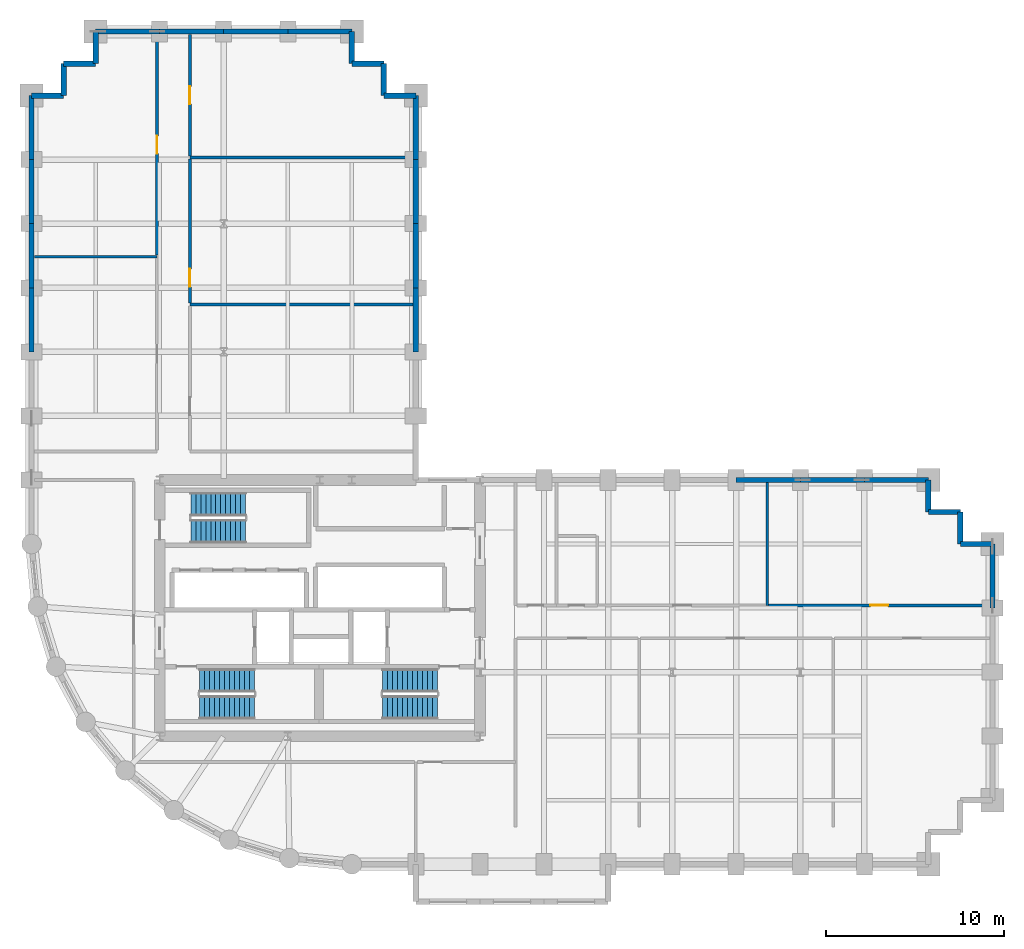
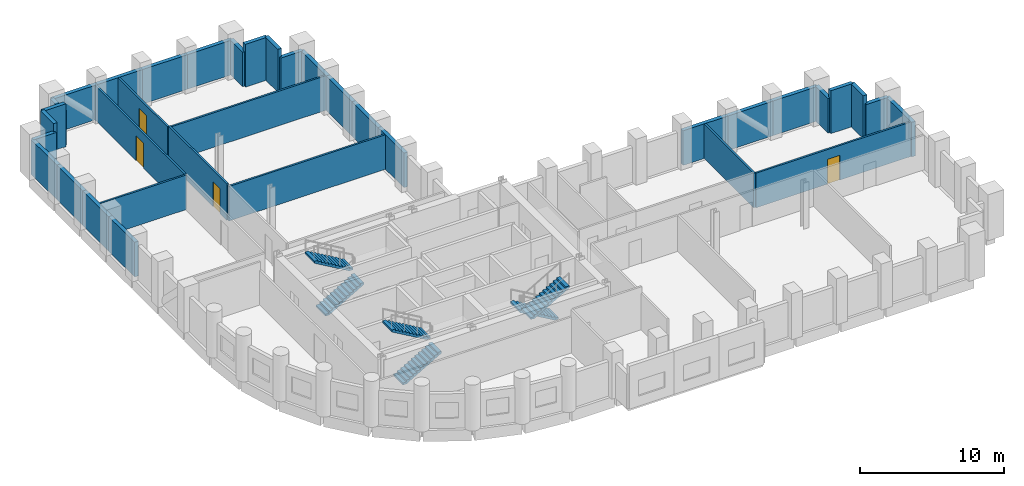
# One storey, part 8 of 9: 36 walls, 6 stair flights, 4 doors, 4 openings, 3 elements without a shape of their own.
"""IFC4 building model written with IfcOpenShell, lengths in metres."""

from ifc_helpers import new_model, si_unit, direction, frame, frame_2d, origin, place, context, subcontext, project, spatial, polyline, rectangle, outline, extrude, material, layer, layer_set, type_object, element, fill, aggregate, save


model = new_model("IFC4")

# Units and contexts
model_context = context("Model", 3, precision=1e-05, world=origin(), true_north=direction((0.0, 1.0)))
body_context = subcontext(model_context, "Body", "Model", "MODEL_VIEW")
ifc_project = project(units=[si_unit("LENGTHUNIT", "METRE"), si_unit("AREAUNIT", "SQUARE_METRE"), si_unit("VOLUMEUNIT", "CUBIC_METRE"), si_unit("PLANEANGLEUNIT", "RADIAN"), si_unit("MASSUNIT", "GRAM", prefix="KILO")], contexts=[model_context])

# Site, building, storey
site_placement = place(None, origin())
site = spatial("IfcSite", under=ifc_project, at=site_placement, CompositionType="ELEMENT")
building_placement = place(site_placement, origin())
building = spatial("IfcBuilding", under=site, at=building_placement, Name="Solnavia Interchange Tower", CompositionType="ELEMENT")
storey_placement = place(building_placement, frame((0.0, 0.0, 66.89990234375)))
storey = spatial("IfcBuildingStorey", under=building, at=storey_placement, Name="L16", CompositionType="ELEMENT", Elevation=66.89990234375)

# Walls
ifc_material_1 = material(Name="Concrete C40/50", Category="concrete")
ifc_layer_1 = layer(ifc_material_1, 0.300048828125)
ifc_layer_set_1 = layer_set([ifc_layer_1], Name="Concrete C40/50")
wall_type_1 = type_object("IfcWallType", Name="Wall-ExtSpandrel-300", PredefinedType="STANDARD", material=ifc_layer_set_1)
wall_1_placement = place(storey_placement, frame((61.199951171875, 21.60009765625, 0.0), z_axis=(0.0, 0.0, 1.0), x_axis=(0.0, -1.0, 0.0)))
element("IfcWall", 1, at=wall_1_placement, inside=storey, type_object=wall_type_1, Name="EXW-L16-19 Exterior precast spandrel wall", PredefinedType="STANDARD", context=body_context, shape_type="SweptSolid", body=[
    extrude(rectangle(XDim=3.60009765625, YDim=0.300048828125, at=frame_2d((1.800048828125, 0.0))), origin(), (0.0, 0.0, 1.0), 2.93017578125),
])
wall_2_placement = place(storey_placement, frame((61.199951171875, 21.60009765625, 0.0), z_axis=(0.0, 0.0, 1.0), x_axis=(-1.0, 0.0, 0.0)))
element("IfcWall", 2, at=wall_2_placement, inside=storey, type_object=wall_type_1, Name="EXW-L16-20 Exterior precast spandrel wall", PredefinedType="STANDARD", context=body_context, shape_type="SweptSolid", body=[
    extrude(rectangle(XDim=1.800048828125, YDim=0.300048828125, at=frame_2d((0.89990234375, 0.0))), origin(), (0.0, 0.0, 1.0), 2.93017578125),
])
for number, where, z_axis, x_axis, name in (
    (3, (59.39990234375, 23.39990234375, 0.0), (0.0, 0.0, 1.0), (0.0, -1.0, 0.0), "EXW-L16-21 Exterior precast spandrel wall"),
    (4, (57.60009765625, 23.39990234375, 0.0), (0.0, 0.0, 1.0), (1.0, 0.0, 0.0), "EXW-L16-22 Exterior precast spandrel wall"),
):
    element("IfcWall", number, at=place(storey_placement, frame(where, z_axis=z_axis, x_axis=x_axis)), inside=storey, type_object=wall_type_1, Name=name, PredefinedType="STANDARD", context=body_context, shape_type="SweptSolid", body=[
        extrude(rectangle(XDim=1.7998046875, YDim=0.300048828125, at=frame_2d((0.89990234375, 0.0))), origin(), (0.0, 0.0, 1.0), 3.635009765625),
    ])
wall_3_placement = place(storey_placement, frame((57.60009765625, 25.199951171875, 0.0), z_axis=(0.0, 0.0, 1.0), x_axis=(0.0, -1.0, 0.0)))
element("IfcWall", 5, at=wall_3_placement, inside=storey, type_object=wall_type_1, Name="EXW-L16-23 Exterior precast spandrel wall", PredefinedType="STANDARD", context=body_context, shape_type="SweptSolid", body=[
    extrude(rectangle(XDim=1.800048828125, YDim=0.300048828125, at=frame_2d((0.89990234375, 0.0))), origin(), (0.0, 0.0, 1.0), 2.93017578125),
])
for number, where, z_axis, x_axis, name in (
    (6, (54.0, 25.199951171875, 0.0), (0.0, 0.0, 1.0), (1.0, 0.0, 0.0), "EXW-L16-24 Exterior precast spandrel wall"),
    (7, (50.39990234375, 25.199951171875, 0.0), (0.0, 0.0, 1.0), (1.0, 0.0, 0.0), "EXW-L16-25 Exterior precast spandrel wall"),
):
    element("IfcWall", number, at=place(storey_placement, frame(where, z_axis=z_axis, x_axis=x_axis)), inside=storey, type_object=wall_type_1, Name=name, PredefinedType="STANDARD", context=body_context, shape_type="SweptSolid", body=[
        extrude(rectangle(XDim=3.60009765625, YDim=0.300048828125, at=frame_2d((1.800048828125, 0.0))), origin(), (0.0, 0.0, 1.0), 2.93017578125),
    ])
wall_4_placement = place(storey_placement, frame((46.800048828125, 25.199951171875, 0.0), z_axis=(0.0, 0.0, 1.0), x_axis=(1.0, 0.0, 0.0)))
element("IfcWall", 8, at=wall_4_placement, inside=storey, type_object=wall_type_1, Name="EXW-L16-26 Exterior precast spandrel wall", PredefinedType="STANDARD", context=body_context, shape_type="SweptSolid", body=[
    extrude(rectangle(XDim=3.599853515625, YDim=0.300048828125, at=frame_2d((1.7998046875, 0.0))), origin(), (0.0, 0.0, 1.0), 2.93017578125),
])
for number, where, z_axis, x_axis, name in (
    (9, (28.800048828125, 32.39990234375, 0.0), (0.0, 0.0, 1.0), (0.0, 1.0, 0.0), "EXW-L16-34 Exterior precast spandrel wall"),
    (10, (28.800048828125, 36.0, 0.0), (0.0, 0.0, 1.0), (0.0, 1.0, 0.0), "EXW-L16-35 Exterior precast spandrel wall"),
):
    element("IfcWall", number, at=place(storey_placement, frame(where, z_axis=z_axis, x_axis=x_axis)), inside=storey, type_object=wall_type_1, Name=name, PredefinedType="STANDARD", context=body_context, shape_type="SweptSolid", body=[
        extrude(rectangle(XDim=3.60009765625, YDim=0.300048828125, at=frame_2d((1.800048828125, 0.0))), origin(), (0.0, 0.0, 1.0), 2.93017578125),
    ])
wall_5_placement = place(storey_placement, frame((28.800048828125, 39.60009765625, 0.0), z_axis=(0.0, 0.0, 1.0), x_axis=(0.0, 1.0, 0.0)))
element("IfcWall", 11, at=wall_5_placement, inside=storey, type_object=wall_type_1, Name="EXW-L16-36 Exterior precast spandrel wall", PredefinedType="STANDARD", context=body_context, shape_type="SweptSolid", body=[
    extrude(rectangle(XDim=3.599853515625, YDim=0.300048828125, at=frame_2d((1.7998046875, 0.0))), origin(), (0.0, 0.0, 1.0), 2.93017578125),
])
wall_6_placement = place(storey_placement, frame((28.800048828125, 43.199951171875, 0.0), z_axis=(0.0, 0.0, 1.0), x_axis=(0.0, 1.0, 0.0)))
element("IfcWall", 12, at=wall_6_placement, inside=storey, type_object=wall_type_1, Name="EXW-L16-37 Exterior precast spandrel wall", PredefinedType="STANDARD", context=body_context, shape_type="SweptSolid", body=[
    extrude(rectangle(XDim=3.60009765625, YDim=0.300048828125, at=frame_2d((1.800048828125, 0.0))), origin(), (0.0, 0.0, 1.0), 2.93017578125),
])
wall_7_placement = place(storey_placement, frame((27.0, 46.800048828125, 0.0), z_axis=(0.0, 0.0, 1.0), x_axis=(1.0, 0.0, 0.0)))
element("IfcWall", 13, at=wall_7_placement, inside=storey, type_object=wall_type_1, Name="EXW-L16-38 Exterior precast spandrel wall", PredefinedType="STANDARD", context=body_context, shape_type="SweptSolid", body=[
    extrude(rectangle(XDim=1.800048828125, YDim=0.300048828125, at=frame_2d((0.89990234375, 0.0))), origin(), (0.0, 0.0, 1.0), 2.93017578125),
])
for number, where, z_axis, x_axis, name in (
    (14, (27.0, 46.800048828125, 0.0), (0.0, 0.0, 1.0), (0.0, 1.0, 0.0), "EXW-L16-39 Exterior precast spandrel wall"),
    (15, (25.199951171875, 48.60009765625, 0.0), (0.0, 0.0, 1.0), (1.0, 0.0, 0.0), "EXW-L16-40 Exterior precast spandrel wall"),
):
    element("IfcWall", number, at=place(storey_placement, frame(where, z_axis=z_axis, x_axis=x_axis)), inside=storey, type_object=wall_type_1, Name=name, PredefinedType="STANDARD", context=body_context, shape_type="SweptSolid", body=[
        extrude(rectangle(XDim=1.800048828125, YDim=0.300048828125, at=frame_2d((0.89990234375, 0.0))), origin(), (0.0, 0.0, 1.0), 3.635009765625),
    ])
wall_8_placement = place(storey_placement, frame((25.199951171875, 48.60009765625, 0.0), z_axis=(0.0, 0.0, 1.0), x_axis=(0.0, 1.0, 0.0)))
element("IfcWall", 16, at=wall_8_placement, inside=storey, type_object=wall_type_1, Name="EXW-L16-41 Exterior precast spandrel wall", PredefinedType="STANDARD", context=body_context, shape_type="SweptSolid", body=[
    extrude(rectangle(XDim=1.7998046875, YDim=0.300048828125, at=frame_2d((0.89990234375, 0.0))), origin(), (0.0, 0.0, 1.0), 2.93017578125),
])
wall_9_placement = place(storey_placement, frame((21.60009765625, 50.39990234375, 0.0), z_axis=(0.0, 0.0, 1.0), x_axis=(1.0, 0.0, 0.0)))
element("IfcWall", 17, at=wall_9_placement, inside=storey, type_object=wall_type_1, Name="EXW-L16-42 Exterior precast spandrel wall", PredefinedType="STANDARD", context=body_context, shape_type="SweptSolid", body=[
    extrude(rectangle(XDim=3.599853515625, YDim=0.300048828125, at=frame_2d((1.7998046875, 0.0))), origin(), (0.0, 0.0, 1.0), 2.93017578125),
])
for number, where, z_axis, x_axis, name in (
    (18, (18.0, 50.39990234375, 0.0), (0.0, 0.0, 1.0), (1.0, 0.0, 0.0), "EXW-L16-43 Exterior precast spandrel wall"),
    (19, (14.39990234375, 50.39990234375, 0.0), (0.0, 0.0, 1.0), (1.0, 0.0, 0.0), "EXW-L16-44 Exterior precast spandrel wall"),
):
    element("IfcWall", number, at=place(storey_placement, frame(where, z_axis=z_axis, x_axis=x_axis)), inside=storey, type_object=wall_type_1, Name=name, PredefinedType="STANDARD", context=body_context, shape_type="SweptSolid", body=[
        extrude(rectangle(XDim=3.60009765625, YDim=0.300048828125, at=frame_2d((1.800048828125, 0.0))), origin(), (0.0, 0.0, 1.0), 2.93017578125),
    ])
wall_10_placement = place(storey_placement, frame((10.800048828125, 50.39990234375, 0.0), z_axis=(0.0, 0.0, 1.0), x_axis=(1.0, 0.0, 0.0)))
element("IfcWall", 20, at=wall_10_placement, inside=storey, type_object=wall_type_1, Name="EXW-L16-45 Exterior precast spandrel wall", PredefinedType="STANDARD", context=body_context, shape_type="SweptSolid", body=[
    extrude(rectangle(XDim=3.599853515625, YDim=0.300048828125, at=frame_2d((1.7998046875, 0.0))), origin(), (0.0, 0.0, 1.0), 2.93017578125),
])
wall_11_placement = place(storey_placement, frame((10.800048828125, 48.60009765625, 0.0), z_axis=(0.0, 0.0, 1.0), x_axis=(0.0, 1.0, 0.0)))
element("IfcWall", 21, at=wall_11_placement, inside=storey, type_object=wall_type_1, Name="EXW-L16-46 Exterior precast spandrel wall", PredefinedType="STANDARD", context=body_context, shape_type="SweptSolid", body=[
    extrude(rectangle(XDim=1.7998046875, YDim=0.300048828125, at=frame_2d((0.89990234375, 0.0))), origin(), (0.0, 0.0, 1.0), 2.93017578125),
])
for number, where, z_axis, x_axis, name in (
    (22, (9.0, 48.60009765625, 0.0), (0.0, 0.0, 1.0), (1.0, 0.0, 0.0), "EXW-L16-47 Exterior precast spandrel wall"),
    (23, (9.0, 46.800048828125, 0.0), (0.0, 0.0, 1.0), (0.0, 1.0, 0.0), "EXW-L16-48 Exterior precast spandrel wall"),
):
    element("IfcWall", number, at=place(storey_placement, frame(where, z_axis=z_axis, x_axis=x_axis)), inside=storey, type_object=wall_type_1, Name=name, PredefinedType="STANDARD", context=body_context, shape_type="SweptSolid", body=[
        extrude(rectangle(XDim=1.800048828125, YDim=0.300048828125, at=frame_2d((0.89990234375, 0.0))), origin(), (0.0, 0.0, 1.0), 3.635009765625),
    ])
wall_12_placement = place(storey_placement, frame((7.199951171875, 46.800048828125, 0.0), z_axis=(0.0, 0.0, 1.0), x_axis=(1.0, 0.0, 0.0)))
element("IfcWall", 24, at=wall_12_placement, inside=storey, type_object=wall_type_1, Name="EXW-L16-49 Exterior precast spandrel wall", PredefinedType="STANDARD", context=body_context, shape_type="SweptSolid", body=[
    extrude(rectangle(XDim=1.800048828125, YDim=0.300048828125, at=frame_2d((0.89990234375, 0.0))), origin(), (0.0, 0.0, 1.0), 2.93017578125),
])
wall_13_placement = place(storey_placement, frame((7.199951171875, 43.199951171875, 0.0), z_axis=(0.0, 0.0, 1.0), x_axis=(0.0, 1.0, 0.0)))
element("IfcWall", 25, at=wall_13_placement, inside=storey, type_object=wall_type_1, Name="EXW-L16-50 Exterior precast spandrel wall", PredefinedType="STANDARD", context=body_context, shape_type="SweptSolid", body=[
    extrude(rectangle(XDim=3.60009765625, YDim=0.300048828125, at=frame_2d((1.800048828125, 0.0))), origin(), (0.0, 0.0, 1.0), 2.93017578125),
])
wall_14_placement = place(storey_placement, frame((7.199951171875, 39.60009765625, 0.0), z_axis=(0.0, 0.0, 1.0), x_axis=(0.0, 1.0, 0.0)))
element("IfcWall", 26, at=wall_14_placement, inside=storey, type_object=wall_type_1, Name="EXW-L16-51 Exterior precast spandrel wall", PredefinedType="STANDARD", context=body_context, shape_type="SweptSolid", body=[
    extrude(rectangle(XDim=3.599853515625, YDim=0.300048828125, at=frame_2d((1.7998046875, 0.0))), origin(), (0.0, 0.0, 1.0), 2.93017578125),
])
for number, where, z_axis, x_axis, name in (
    (27, (7.199951171875, 36.0, 0.0), (0.0, 0.0, 1.0), (0.0, 1.0, 0.0), "EXW-L16-52 Exterior precast spandrel wall"),
    (28, (7.199951171875, 32.39990234375, 0.0), (0.0, 0.0, 1.0), (0.0, 1.0, 0.0), "EXW-L16-53 Exterior precast spandrel wall"),
):
    element("IfcWall", number, at=place(storey_placement, frame(where, z_axis=z_axis, x_axis=x_axis)), inside=storey, type_object=wall_type_1, Name=name, PredefinedType="STANDARD", context=body_context, shape_type="SweptSolid", body=[
        extrude(rectangle(XDim=3.60009765625, YDim=0.300048828125, at=frame_2d((1.800048828125, 0.0))), origin(), (0.0, 0.0, 1.0), 2.93017578125),
    ])
ifc_material_2 = material(Name="Gypsum Plasterboard & Steel Stud", Category="steel")
ifc_layer_2 = layer(ifc_material_2, 0.14990234375)
ifc_layer_set_2 = layer_set([ifc_layer_2], Name="Gypsum Plasterboard & Steel Stud")
wall_type_2 = type_object("IfcWallType", Name="Wall-Partition-150", PredefinedType="PARTITIONING", material=ifc_layer_set_2)
wall_15_placement = place(storey_placement, frame((48.550048828125, 18.14990234375, 0.0), z_axis=(0.0, 0.0, 1.0), x_axis=(0.0, 1.0, 0.0)))
element("IfcWall", 29, at=wall_15_placement, inside=storey, type_object=wall_type_2, Name="PTW-L16-18 Interior partition wall", PredefinedType="PARTITIONING", context=body_context, shape_type="SweptSolid", body=[
    extrude(rectangle(XDim=6.89599609375, YDim=0.14990234375, at=frame_2d((3.447998046875, 0.0))), origin(), (0.0, 0.0, 1.0), 2.93017578125),
])

# Wall, opening, door
wall_16_placement = place(storey_placement, frame((48.62890625, 18.14990234375, 0.0), z_axis=(0.0, 0.0, 1.0), x_axis=(1.0, 0.0, 0.0)))
wall_16 = element("IfcWall", 30, at=wall_16_placement, inside=storey, type_object=wall_type_2, Name="PTW-L16-20 Interior partition wall", PredefinedType="PARTITIONING", context=body_context, shape_type="SweptSolid", body=[
    extrude(rectangle(XDim=12.4169921875, YDim=0.14990234375, at=frame_2d((6.20849609375, 0.0))), origin(), (0.0, 0.0, 1.0), 2.93017578125),
])
opening_1_placement = place(wall_16_placement, frame((5.7060546875, 0.0, 0.0)))
opening_1 = element("IfcOpeningElement", 31, at=opening_1_placement, cuts=wall_16, Name="Opening DR-07", PredefinedType="OPENING", context=body_context, shape_type="SweptSolid", body=[
    extrude(rectangle(XDim=1.0, YDim=2.10009765625, at=frame_2d((0.5, 1.050048828125))), frame((0.0, 0.0849609375, 0.0), z_axis=(0.0, -1.0, 0.0), x_axis=(1.0, 0.0, 0.0)), (0.0, 0.0, 1.0), 0.169921875),
])
ifc_material_3 = material(Name="Timber & Acoustic Glazed Office Door", Category="wood")
door_type = type_object("IfcDoorType", Name="Door-Office-1000x2100", OperationType="SINGLE_SWING_RIGHT", PredefinedType="DOOR", material=ifc_material_3)
door_1_placement = place(opening_1_placement, origin())
door_1 = element("IfcDoor", 32, at=door_1_placement, inside=storey, type_object=door_type, Name="DR-L16-09 Interior room door", OperationType="SINGLE_SWING_RIGHT", OverallHeight=2.10009765625, OverallWidth=1.0, PredefinedType="DOOR", context=body_context, shape_type="SweptSolid", body=[
    extrude(rectangle(XDim=1.0, YDim=2.10009765625, at=frame_2d((0.5, 1.050048828125))), frame((0.0, 0.02490234375, 0.0), z_axis=(0.0, -1.0, 0.0), x_axis=(1.0, 0.0, 0.0)), (0.0, 0.0, 1.0), 0.050048828125),
])
fill(opening_1, door_1)

# Wall
wall_17_placement = place(storey_placement, frame((7.35400390625, 37.75, 0.0), z_axis=(0.0, 0.0, 1.0), x_axis=(1.0, 0.0, 0.0)))
element("IfcWall", 33, at=wall_17_placement, inside=storey, type_object=wall_type_2, Name="PTW-L16-22 Interior partition wall", PredefinedType="PARTITIONING", context=body_context, shape_type="SweptSolid", body=[
    extrude(rectangle(XDim=6.89599609375, YDim=0.14990234375, at=frame_2d((3.447998046875, 0.0))), origin(), (0.0, 0.0, 1.0), 2.93017578125),
])

# Wall, opening, door
wall_18_placement = place(storey_placement, frame((14.25, 37.8291015625, 0.0), z_axis=(0.0, 0.0, 1.0), x_axis=(0.0, 1.0, 0.0)))
wall_18 = element("IfcWall", 34, at=wall_18_placement, inside=storey, type_object=wall_type_2, Name="PTW-L16-24 Interior partition wall", PredefinedType="PARTITIONING", context=body_context, shape_type="SweptSolid", body=[
    extrude(rectangle(XDim=12.4169921875, YDim=0.14990234375, at=frame_2d((6.20849609375, 0.0))), origin(), (0.0, 0.0, 1.0), 2.93017578125),
])
opening_2_placement = place(wall_18_placement, frame((5.7060546875, 0.0, 0.0)))
opening_2 = element("IfcOpeningElement", 35, at=opening_2_placement, cuts=wall_18, Name="Opening DR-07", PredefinedType="OPENING", context=body_context, shape_type="SweptSolid", body=[
    extrude(rectangle(XDim=1.0, YDim=2.10009765625, at=frame_2d((0.5, 1.050048828125))), frame((0.0, 0.0849609375, 0.0), z_axis=(0.0, -1.0, 0.0), x_axis=(1.0, 0.0, 0.0)), (0.0, 0.0, 1.0), 0.169921875),
])
door_2_placement = place(opening_2_placement, origin())
door_2 = element("IfcDoor", 36, at=door_2_placement, inside=storey, type_object=door_type, Name="DR-L16-11 Interior room door", OperationType="SINGLE_SWING_RIGHT", OverallHeight=2.10009765625, OverallWidth=1.0, PredefinedType="DOOR", context=body_context, shape_type="SweptSolid", body=[
    extrude(rectangle(XDim=1.0, YDim=2.10009765625, at=frame_2d((0.5, 1.050048828125))), frame((0.0, 0.02490234375, 0.0), z_axis=(0.0, -1.0, 0.0), x_axis=(1.0, 0.0, 0.0)), (0.0, 0.0, 1.0), 0.050048828125),
])
fill(opening_2, door_2)

# Walls
for number, where, z_axis, x_axis, name in (
    (37, (16.10009765625, 35.06005859375, 0.0), (0.0, 0.0, 1.0), (1.0, 0.0, 0.0), "PTW-L16-26 Interior partition wall"),
    (38, (16.10009765625, 43.320068359375, 0.0), (0.0, 0.0, 1.0), (1.0, 0.0, 0.0), "PTW-L16-28 Interior partition wall"),
):
    element("IfcWall", number, at=place(storey_placement, frame(where, z_axis=z_axis, x_axis=x_axis)), inside=storey, type_object=wall_type_2, Name=name, PredefinedType="PARTITIONING", context=body_context, shape_type="SweptSolid", body=[
        extrude(rectangle(XDim=12.5458984375, YDim=0.14990234375, at=frame_2d((6.27294921875, 0.0))), origin(), (0.0, 0.0, 1.0), 2.93017578125),
    ])

# Wall, opening, door
wall_19_placement = place(storey_placement, frame((16.10009765625, 35.138916015625, 0.0), z_axis=(0.0, 0.0, 1.0), x_axis=(0.0, 1.0, 0.0)))
wall_19 = element("IfcWall", 39, at=wall_19_placement, inside=storey, type_object=wall_type_2, Name="PTW-L16-29 Interior partition wall", PredefinedType="PARTITIONING", context=body_context, shape_type="SweptSolid", body=[
    extrude(rectangle(XDim=8.10205078125, YDim=0.14990234375, at=frame_2d((4.051025390625, 0.0))), origin(), (0.0, 0.0, 1.0), 3.080078125),
])
opening_3_placement = place(wall_19_placement, frame((0.9189453125, 0.0, 0.0)))
opening_3 = element("IfcOpeningElement", 40, at=opening_3_placement, cuts=wall_19, Name="Opening DR-07", PredefinedType="OPENING", context=body_context, shape_type="SweptSolid", body=[
    extrude(rectangle(XDim=1.0, YDim=2.10009765625, at=frame_2d((0.5, 1.050048828125))), frame((0.0, 0.0849609375, 0.0), z_axis=(0.0, -1.0, 0.0), x_axis=(1.0, 0.0, 0.0)), (0.0, 0.0, 1.0), 0.169921875),
])
door_3_placement = place(opening_3_placement, origin())
door_3 = element("IfcDoor", 41, at=door_3_placement, inside=storey, type_object=door_type, Name="DR-L16-13 Interior room door", OperationType="SINGLE_SWING_LEFT", OverallHeight=2.10009765625, OverallWidth=1.0, PredefinedType="DOOR", context=body_context, shape_type="SweptSolid", body=[
    extrude(rectangle(XDim=1.0, YDim=2.10009765625, at=frame_2d((0.5, 1.050048828125))), frame((0.0, 0.02490234375, 0.0), z_axis=(0.0, -1.0, 0.0), x_axis=(1.0, 0.0, 0.0)), (0.0, 0.0, 1.0), 0.050048828125),
])
fill(opening_3, door_3)

wall_20_placement = place(storey_placement, frame((16.10009765625, 43.39892578125, 0.0), z_axis=(0.0, 0.0, 1.0), x_axis=(0.0, 1.0, 0.0)))
wall_20 = element("IfcWall", 42, at=wall_20_placement, inside=storey, type_object=wall_type_2, Name="PTW-L16-30 Interior partition wall", PredefinedType="PARTITIONING", context=body_context, shape_type="SweptSolid", body=[
    extrude(rectangle(XDim=6.84716796875, YDim=0.14990234375, at=frame_2d((3.423583984375, 0.0))), origin(), (0.0, 0.0, 1.0), 2.93017578125),
])
opening_4_placement = place(wall_20_placement, frame((2.9208984375, 0.0, 0.0)))
opening_4 = element("IfcOpeningElement", 43, at=opening_4_placement, cuts=wall_20, Name="Opening DR-07", PredefinedType="OPENING", context=body_context, shape_type="SweptSolid", body=[
    extrude(rectangle(XDim=1.0, YDim=2.10009765625, at=frame_2d((0.5, 1.050048828125))), frame((0.0, 0.0849609375, 0.0), z_axis=(0.0, -1.0, 0.0), x_axis=(1.0, 0.0, 0.0)), (0.0, 0.0, 1.0), 0.169921875),
])
door_4_placement = place(opening_4_placement, origin())
door_4 = element("IfcDoor", 44, at=door_4_placement, inside=storey, type_object=door_type, Name="DR-L16-14 Interior room door", OperationType="SINGLE_SWING_LEFT", OverallHeight=2.10009765625, OverallWidth=1.0, PredefinedType="DOOR", context=body_context, shape_type="SweptSolid", body=[
    extrude(rectangle(XDim=1.0, YDim=2.10009765625, at=frame_2d((0.5, 1.050048828125))), frame((0.0, 0.02490234375, 0.0), z_axis=(0.0, -1.0, 0.0), x_axis=(1.0, 0.0, 0.0)), (0.0, 0.0, 1.0), 0.050048828125),
])
fill(opening_4, door_4)

# Stair, stair flights
stair_type = type_object("IfcStairType", Name="Stair-Dogleg-RC", PredefinedType="HALF_TURN_STAIR", material=ifc_material_1)
stair_1_placement = place(storey_placement, origin())
stair_1 = element("IfcStair", 45, at=stair_1_placement, inside=storey, type_object=stair_type, Name="L16 Core exit stair 1", PredefinedType="HALF_TURN_STAIR")
stair_flight_type = type_object("IfcStairFlightType", Name="StairFlight-RC-150", PredefinedType="STRAIGHT", material=ifc_material_1)
stair_flight_1_placement = place(storey_placement, frame((16.64990234375, 12.409912109375, 0.0), z_axis=(0.0, 0.0, 1.0), x_axis=(1.0, 0.0, 0.0)))
stair_flight_1 = element("IfcStairFlight", 46, at=stair_flight_1_placement, type_object=stair_flight_type, Name="ST-1 flight 1", NumberOfRisers=12, NumberOfTreads=11, PredefinedType="STRAIGHT", RiserHeight=0.1625, TreadLength=0.28, context=body_context, shape_type="SweptSolid", body=[
    extrude(outline(polyline([(0.0, 0.0), (0.0, 0.16259765625), (0.280029296875, 0.16259765625), (0.280029296875, 0.324951171875), (0.56005859375, 0.324951171875), (0.56005859375, 0.487548828125), (0.840087890625, 0.487548828125), (0.840087890625, 0.64990234375), (1.1201171875, 0.64990234375), (1.1201171875, 0.8125), (1.39990234375, 0.8125), (1.39990234375, 0.97509765625), (1.679931640625, 0.97509765625), (1.679931640625, 1.137451171875), (1.9599609375, 1.137451171875), (1.9599609375, 1.300048828125), (2.239990234375, 1.300048828125), (2.239990234375, 1.46240234375), (2.52001953125, 1.46240234375), (2.52001953125, 1.625), (2.800048828125, 1.625), (2.800048828125, 1.78759765625), (3.080078125, 1.78759765625), (3.080078125, 1.949951171875), (3.080078125, 1.6142578125), (0.298583984375, 0.0), (0.0, 0.0)])), frame((0.0, 0.66015625, 0.0), z_axis=(0.0, -1.0, 0.0), x_axis=(1.0, 0.0, 0.0)), (0.0, 0.0, 1.0), 1.320068359375),
])
stair_flight_2_placement = place(storey_placement, frame((19.72998046875, 13.929931640625, 1.9501953125), z_axis=(0.0, 0.0, 1.0), x_axis=(-1.0, 0.0, 0.0)))
stair_flight_2 = element("IfcStairFlight", 47, at=stair_flight_2_placement, type_object=stair_flight_type, Name="ST-1 flight 2", NumberOfRisers=12, NumberOfTreads=11, PredefinedType="STRAIGHT", RiserHeight=0.1625, TreadLength=0.28, context=body_context, shape_type="SweptSolid", body=[
    extrude(outline(polyline([(0.0, 0.0), (0.0, 0.16259765625), (0.280029296875, 0.16259765625), (0.280029296875, 0.324951171875), (0.56005859375, 0.324951171875), (0.56005859375, 0.487548828125), (0.840087890625, 0.487548828125), (0.840087890625, 0.64990234375), (1.1201171875, 0.64990234375), (1.1201171875, 0.8125), (1.39990234375, 0.8125), (1.39990234375, 0.97509765625), (1.679931640625, 0.97509765625), (1.679931640625, 1.137451171875), (1.9599609375, 1.137451171875), (1.9599609375, 1.300048828125), (2.239990234375, 1.300048828125), (2.239990234375, 1.46240234375), (2.52001953125, 1.46240234375), (2.52001953125, 1.625), (2.800048828125, 1.625), (2.800048828125, 1.78759765625), (3.080078125, 1.78759765625), (3.080078125, 1.949951171875), (3.080078125, 1.6142578125), (0.298583984375, 0.0), (0.0, 0.0)])), frame((0.0, 0.66015625, 0.0), z_axis=(0.0, -1.0, 0.0), x_axis=(1.0, 0.0, 0.0)), (0.0, 0.0, 1.0), 1.320068359375),
])
aggregate(stair_1, [stair_flight_1, stair_flight_2])

stair_2_placement = place(storey_placement, origin())
stair_2 = element("IfcStair", 48, at=stair_2_placement, inside=storey, type_object=stair_type, Name="L16 Core exit stair 2", PredefinedType="HALF_TURN_STAIR")
stair_flight_3_placement = place(storey_placement, frame((30.0, 13.929931640625, 0.0), z_axis=(0.0, 0.0, 1.0), x_axis=(-1.0, 0.0, 0.0)))
stair_flight_3 = element("IfcStairFlight", 49, at=stair_flight_3_placement, type_object=stair_flight_type, Name="ST-2 flight 1", NumberOfRisers=12, NumberOfTreads=11, PredefinedType="STRAIGHT", RiserHeight=0.1625, TreadLength=0.28, context=body_context, shape_type="SweptSolid", body=[
    extrude(outline(polyline([(0.0, 0.0), (0.0, 0.16259765625), (0.280029296875, 0.16259765625), (0.280029296875, 0.324951171875), (0.56005859375, 0.324951171875), (0.56005859375, 0.487548828125), (0.840087890625, 0.487548828125), (0.840087890625, 0.64990234375), (1.1201171875, 0.64990234375), (1.1201171875, 0.8125), (1.39990234375, 0.8125), (1.39990234375, 0.97509765625), (1.679931640625, 0.97509765625), (1.679931640625, 1.137451171875), (1.9599609375, 1.137451171875), (1.9599609375, 1.300048828125), (2.239990234375, 1.300048828125), (2.239990234375, 1.46240234375), (2.52001953125, 1.46240234375), (2.52001953125, 1.625), (2.800048828125, 1.625), (2.800048828125, 1.78759765625), (3.080078125, 1.78759765625), (3.080078125, 1.949951171875), (3.080078125, 1.6142578125), (0.298583984375, 0.0), (0.0, 0.0)])), frame((0.0, 0.66015625, 0.0), z_axis=(0.0, -1.0, 0.0), x_axis=(1.0, 0.0, 0.0)), (0.0, 0.0, 1.0), 1.320068359375),
])
stair_flight_4_placement = place(storey_placement, frame((26.919921875, 12.409912109375, 1.9501953125), z_axis=(0.0, 0.0, 1.0), x_axis=(1.0, 0.0, 0.0)))
stair_flight_4 = element("IfcStairFlight", 50, at=stair_flight_4_placement, type_object=stair_flight_type, Name="ST-2 flight 2", NumberOfRisers=12, NumberOfTreads=11, PredefinedType="STRAIGHT", RiserHeight=0.1625, TreadLength=0.28, context=body_context, shape_type="SweptSolid", body=[
    extrude(outline(polyline([(0.0, 0.0), (0.0, 0.16259765625), (0.280029296875, 0.16259765625), (0.280029296875, 0.324951171875), (0.56005859375, 0.324951171875), (0.56005859375, 0.487548828125), (0.840087890625, 0.487548828125), (0.840087890625, 0.64990234375), (1.1201171875, 0.64990234375), (1.1201171875, 0.8125), (1.39990234375, 0.8125), (1.39990234375, 0.97509765625), (1.679931640625, 0.97509765625), (1.679931640625, 1.137451171875), (1.9599609375, 1.137451171875), (1.9599609375, 1.300048828125), (2.239990234375, 1.300048828125), (2.239990234375, 1.46240234375), (2.52001953125, 1.46240234375), (2.52001953125, 1.625), (2.800048828125, 1.625), (2.800048828125, 1.78759765625), (3.080078125, 1.78759765625), (3.080078125, 1.949951171875), (3.080078125, 1.6142578125), (0.298583984375, 0.0), (0.0, 0.0)])), frame((0.0, 0.66015625, 0.0), z_axis=(0.0, -1.0, 0.0), x_axis=(1.0, 0.0, 0.0)), (0.0, 0.0, 1.0), 1.320068359375),
])
aggregate(stair_2, [stair_flight_3, stair_flight_4])

stair_3_placement = place(storey_placement, origin())
stair_3 = element("IfcStair", 51, at=stair_3_placement, inside=storey, type_object=stair_type, Name="L16 Core exit stair 3", PredefinedType="HALF_TURN_STAIR")
stair_flight_5_placement = place(storey_placement, frame((16.14990234375, 22.31005859375, 0.0), z_axis=(0.0, 0.0, 1.0), x_axis=(1.0, 0.0, 0.0)))
stair_flight_5 = element("IfcStairFlight", 52, at=stair_flight_5_placement, type_object=stair_flight_type, Name="ST-3 flight 1", NumberOfRisers=12, NumberOfTreads=11, PredefinedType="STRAIGHT", RiserHeight=0.1625, TreadLength=0.28, context=body_context, shape_type="SweptSolid", body=[
    extrude(outline(polyline([(0.0, 0.0), (0.0, 0.16259765625), (0.280029296875, 0.16259765625), (0.280029296875, 0.324951171875), (0.56005859375, 0.324951171875), (0.56005859375, 0.487548828125), (0.840087890625, 0.487548828125), (0.840087890625, 0.64990234375), (1.1201171875, 0.64990234375), (1.1201171875, 0.8125), (1.39990234375, 0.8125), (1.39990234375, 0.97509765625), (1.679931640625, 0.97509765625), (1.679931640625, 1.137451171875), (1.9599609375, 1.137451171875), (1.9599609375, 1.300048828125), (2.239990234375, 1.300048828125), (2.239990234375, 1.46240234375), (2.52001953125, 1.46240234375), (2.52001953125, 1.625), (2.800048828125, 1.625), (2.800048828125, 1.78759765625), (3.080078125, 1.78759765625), (3.080078125, 1.949951171875), (3.080078125, 1.6142578125), (0.298583984375, 0.0), (0.0, 0.0)])), frame((0.0, 0.66015625, 0.0), z_axis=(0.0, -1.0, 0.0), x_axis=(1.0, 0.0, 0.0)), (0.0, 0.0, 1.0), 1.320068359375),
])
stair_flight_6_placement = place(storey_placement, frame((19.22998046875, 23.830078125, 1.9501953125), z_axis=(0.0, 0.0, 1.0), x_axis=(-1.0, 0.0, 0.0)))
stair_flight_6 = element("IfcStairFlight", 53, at=stair_flight_6_placement, type_object=stair_flight_type, Name="ST-3 flight 2", NumberOfRisers=12, NumberOfTreads=11, PredefinedType="STRAIGHT", RiserHeight=0.1625, TreadLength=0.28, context=body_context, shape_type="SweptSolid", body=[
    extrude(outline(polyline([(0.0, 0.0), (0.0, 0.16259765625), (0.280029296875, 0.16259765625), (0.280029296875, 0.324951171875), (0.56005859375, 0.324951171875), (0.56005859375, 0.487548828125), (0.840087890625, 0.487548828125), (0.840087890625, 0.64990234375), (1.1201171875, 0.64990234375), (1.1201171875, 0.8125), (1.39990234375, 0.8125), (1.39990234375, 0.97509765625), (1.679931640625, 0.97509765625), (1.679931640625, 1.137451171875), (1.9599609375, 1.137451171875), (1.9599609375, 1.300048828125), (2.239990234375, 1.300048828125), (2.239990234375, 1.46240234375), (2.52001953125, 1.46240234375), (2.52001953125, 1.625), (2.800048828125, 1.625), (2.800048828125, 1.78759765625), (3.080078125, 1.78759765625), (3.080078125, 1.949951171875), (3.080078125, 1.6142578125), (0.298583984375, 0.0), (0.0, 0.0)])), frame((0.0, 0.66015625, 0.0), z_axis=(0.0, -1.0, 0.0), x_axis=(1.0, 0.0, 0.0)), (0.0, 0.0, 1.0), 1.320068359375),
])
aggregate(stair_3, [stair_flight_5, stair_flight_6])

save(model, "model.ifc")
